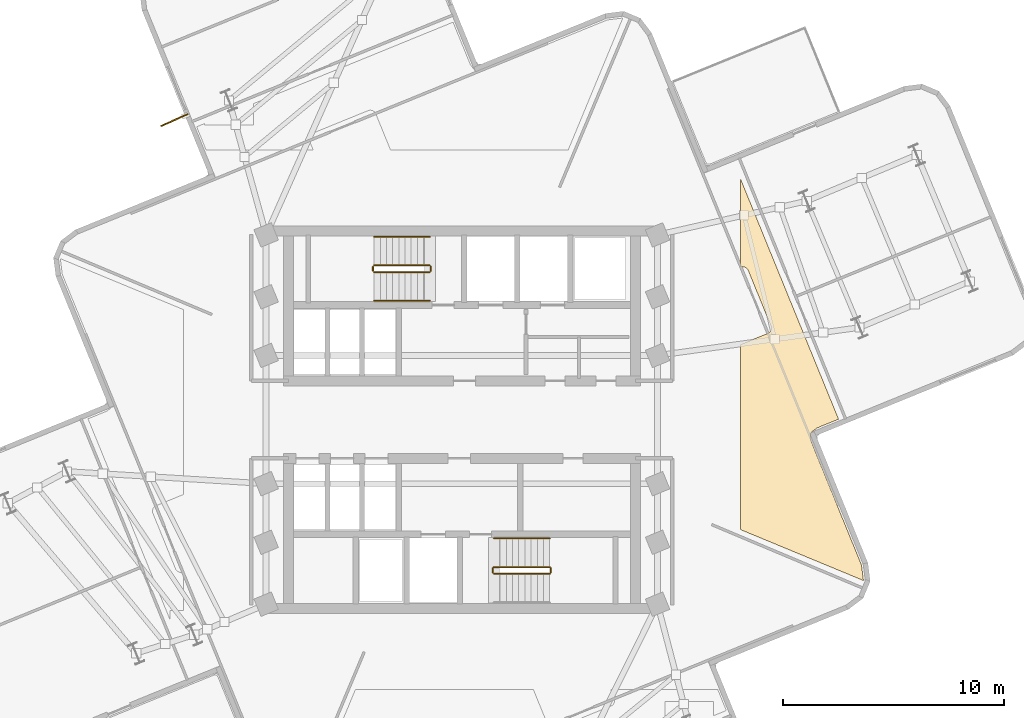
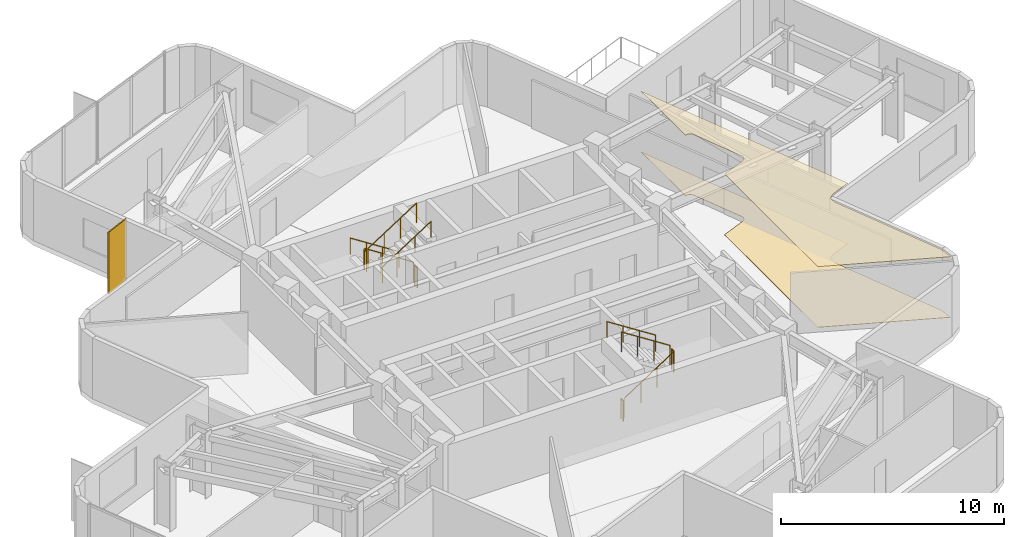
# One storey, part 10 of 11: 11 railings, 2 coverings, 1 shading device.
"""IFC4 building model written with IfcOpenShell, lengths in metres."""

from ifc_helpers import new_model, si_unit, direction, frame, origin, origin_2d, place, context, subcontext, project, spatial, polyline, rectangle, circle, outline, extrude, material, layer, layer_set, type_object, element, save


model = new_model("IFC4")

# Units and contexts
model_context = context("Model", 3, precision=1e-05, world=origin(), true_north=direction((0.0, 1.0)))
body_context = subcontext(model_context, "Body", "Model", "MODEL_VIEW")
ifc_project = project(units=[si_unit("LENGTHUNIT", "METRE"), si_unit("AREAUNIT", "SQUARE_METRE"), si_unit("VOLUMEUNIT", "CUBIC_METRE"), si_unit("PLANEANGLEUNIT", "RADIAN"), si_unit("MASSUNIT", "GRAM", prefix="KILO")], contexts=[model_context])

# Site, building, storey
site_placement = place(None, origin())
site = spatial("IfcSite", under=ifc_project, at=site_placement, CompositionType="ELEMENT")
building_placement = place(site_placement, origin())
building = spatial("IfcBuilding", under=site, at=building_placement, Name="Solmarez Civic Tower", CompositionType="ELEMENT")
storey_placement = place(building_placement, frame((0.0, 0.0, 177.47998046875)))
storey = spatial("IfcBuildingStorey", under=building, at=storey_placement, Name="L47", CompositionType="ELEMENT", Elevation=177.47998046875)

# Coverings
ifc_material_1 = material(Name="Perforated Mineral-Fibre Acoustic Ceiling")
ifc_layer_1 = layer(ifc_material_1, 0.02490234375)
ifc_layer_set_1 = layer_set([ifc_layer_1], Name="Perforated Mineral-Fibre Acoustic Ceiling")
covering_type_1 = type_object("IfcCoveringType", Name="COV-CEIL-ACOUSTIC", PredefinedType="CEILING", material=ifc_layer_set_1)
covering_1_placement = place(storey_placement, frame((0.0, 0.0, 3.31494140625)))
element("IfcCovering", 1, at=covering_1_placement, inside=storey, type_object=covering_type_1, Name="L47 Suspended Acoustic Ceiling 3", PredefinedType="CEILING", context=body_context, shape_type="SweptSolid", body=[
    extrude(outline(polyline([(12.60009765625, 10.887939453125), (12.60009765625, 6.89208984375), (12.613037109375, 6.89697265625), (12.6220703125, 6.89990234375), (12.64892578125, 6.906982421875), (12.654052734375, 6.907958984375), (12.675048828125, 6.910888671875), (12.697021484375, 6.912109375), (12.70703125, 6.912109375), (12.72900390625, 6.910888671875), (12.75, 6.907958984375), (12.7548828125, 6.906982421875), (12.781982421875, 6.89990234375), (12.791015625, 6.89697265625), (12.802978515625, 6.89208984375), (12.80810546875, 6.889892578125), (12.824951171875, 6.882080078125), (12.842041015625, 6.873046875), (12.85791015625, 6.862060546875), (12.865966796875, 6.85595703125), (12.876953125, 6.846923828125), (12.884033203125, 6.841064453125), (12.902099609375, 6.823974609375), (12.9169921875, 6.805908203125), (12.919921875, 6.802001953125), (12.93408203125, 6.781005859375), (12.945068359375, 6.759033203125), (12.948974609375, 6.75), (12.951904296875, 6.743896484375), (13.971923828125, 4.242919921875), (13.97412109375, 4.238037109375), (13.98095703125, 4.218994140625), (13.986083984375, 4.198974609375), (13.987060546875, 4.194091796875), (13.989990234375, 4.175048828125), (13.990966796875, 4.166015625), (13.991943359375, 4.14208984375), (13.991943359375, 4.136962890625), (13.990966796875, 4.114990234375), (13.988037109375, 4.093994140625), (13.987060546875, 4.089111328125), (13.97998046875, 4.06201171875), (13.97705078125, 4.052978515625), (13.971923828125, 4.041015625), (13.969970703125, 4.035888671875), (13.9619140625, 4.01904296875), (13.952880859375, 4.001953125), (13.94189453125, 3.986083984375), (13.93603515625, 3.97802734375), (13.93310546875, 3.97412109375), (13.91796875, 3.9560546875), (13.89990234375, 3.93896484375), (13.89306640625, 3.93310546875), (13.8759765625, 3.919921875), (13.85791015625, 3.908935546875), (13.839111328125, 3.89892578125), (13.830078125, 3.89501953125), (13.823974609375, 3.89208984375), (12.60009765625, 3.39208984375), (12.60009765625, -4.97705078125), (18.157958984375, -7.278076171875), (18.159912109375, -7.27197265625), (18.071044921875, -6.569091796875), (15.81201171875, -1.032958984375), (15.803955078125, -1.010009765625), (15.802001953125, -1.0029296875), (15.800048828125, -0.99609375), (15.7939453125, -0.967041015625), (15.79296875, -0.95703125), (15.77099609375, -0.787109375), (15.76904296875, -0.759033203125), (15.76904296875, -0.742919921875), (15.77099609375, -0.7119140625), (15.77197265625, -0.70703125), (15.77294921875, -0.700927734375), (15.77490234375, -0.68408203125), (15.779052734375, -0.66796875), (15.781005859375, -0.660888671875), (15.791015625, -0.634033203125), (15.7939453125, -0.626953125), (15.804931640625, -0.60498046875), (15.80908203125, -0.597900390625), (15.81689453125, -0.5849609375), (15.821044921875, -0.5791015625), (15.8349609375, -0.56005859375), (15.840087890625, -0.553955078125), (15.85302734375, -0.5390625), (15.85791015625, -0.533935546875), (15.873046875, -0.52099609375), (15.87890625, -0.51611328125), (15.886962890625, -0.510009765625), (16.02392578125, -0.406005859375), (16.034912109375, -0.39794921875), (16.041015625, -0.39404296875), (16.06494140625, -0.3798828125), (16.076904296875, -0.3740234375), (16.092041015625, -0.366943359375), (17.035888671875, 0.01806640625), (12.60009765625, 10.887939453125)])), origin(), (0.0, 0.0, 1.0), 0.025146484375),
])
ifc_material_2 = material(Name="Polished Tropical Stone Terrazzo Flooring", Category="masonry")
ifc_layer_2 = layer(ifc_material_2, 0.02001953125)
ifc_layer_set_2 = layer_set([ifc_layer_2], Name="Polished Tropical Stone Terrazzo Flooring")
covering_type_2 = type_object("IfcCoveringType", Name="COV-FLOOR-TERRAZZO", PredefinedType="FLOORING", material=ifc_layer_set_2)
covering_2_placement = place(storey_placement, origin())
element("IfcCovering", 2, at=covering_2_placement, inside=storey, type_object=covering_type_2, Name="L47 Terrazzo Floor Finish 3", PredefinedType="FLOORING", context=body_context, shape_type="SweptSolid", body=[
    extrude(outline(polyline([(12.60009765625, 10.887939453125), (12.60009765625, 6.89208984375), (12.613037109375, 6.89697265625), (12.6220703125, 6.89990234375), (12.64892578125, 6.906982421875), (12.654052734375, 6.907958984375), (12.675048828125, 6.910888671875), (12.697021484375, 6.912109375), (12.70703125, 6.912109375), (12.72900390625, 6.910888671875), (12.75, 6.907958984375), (12.7548828125, 6.906982421875), (12.781982421875, 6.89990234375), (12.791015625, 6.89697265625), (12.802978515625, 6.89208984375), (12.80810546875, 6.889892578125), (12.824951171875, 6.882080078125), (12.842041015625, 6.873046875), (12.85791015625, 6.862060546875), (12.865966796875, 6.85595703125), (12.876953125, 6.846923828125), (12.884033203125, 6.841064453125), (12.902099609375, 6.823974609375), (12.9169921875, 6.805908203125), (12.919921875, 6.802001953125), (12.93408203125, 6.781005859375), (12.945068359375, 6.759033203125), (12.948974609375, 6.75), (12.951904296875, 6.743896484375), (13.971923828125, 4.242919921875), (13.97412109375, 4.238037109375), (13.98095703125, 4.218994140625), (13.986083984375, 4.198974609375), (13.987060546875, 4.194091796875), (13.989990234375, 4.175048828125), (13.990966796875, 4.166015625), (13.991943359375, 4.14208984375), (13.991943359375, 4.136962890625), (13.990966796875, 4.114990234375), (13.988037109375, 4.093994140625), (13.987060546875, 4.089111328125), (13.97998046875, 4.06201171875), (13.97705078125, 4.052978515625), (13.971923828125, 4.041015625), (13.969970703125, 4.035888671875), (13.9619140625, 4.01904296875), (13.952880859375, 4.001953125), (13.94189453125, 3.986083984375), (13.93603515625, 3.97802734375), (13.93310546875, 3.97412109375), (13.91796875, 3.9560546875), (13.89990234375, 3.93896484375), (13.89306640625, 3.93310546875), (13.8759765625, 3.919921875), (13.85791015625, 3.908935546875), (13.839111328125, 3.89892578125), (13.830078125, 3.89501953125), (13.823974609375, 3.89208984375), (12.60009765625, 3.39208984375), (12.60009765625, -4.97705078125), (18.157958984375, -7.278076171875), (18.159912109375, -7.27197265625), (18.071044921875, -6.569091796875), (15.81201171875, -1.032958984375), (15.803955078125, -1.010009765625), (15.802001953125, -1.0029296875), (15.800048828125, -0.99609375), (15.7939453125, -0.967041015625), (15.79296875, -0.95703125), (15.77099609375, -0.787109375), (15.76904296875, -0.759033203125), (15.76904296875, -0.742919921875), (15.77099609375, -0.7119140625), (15.77197265625, -0.70703125), (15.77294921875, -0.700927734375), (15.77490234375, -0.68408203125), (15.779052734375, -0.66796875), (15.781005859375, -0.660888671875), (15.791015625, -0.634033203125), (15.7939453125, -0.626953125), (15.804931640625, -0.60498046875), (15.80908203125, -0.597900390625), (15.81689453125, -0.5849609375), (15.821044921875, -0.5791015625), (15.8349609375, -0.56005859375), (15.840087890625, -0.553955078125), (15.85302734375, -0.5390625), (15.85791015625, -0.533935546875), (15.873046875, -0.52099609375), (15.87890625, -0.51611328125), (15.886962890625, -0.510009765625), (16.02392578125, -0.406005859375), (16.034912109375, -0.39794921875), (16.041015625, -0.39404296875), (16.06494140625, -0.3798828125), (16.076904296875, -0.3740234375), (16.092041015625, -0.366943359375), (17.035888671875, 0.01806640625), (12.60009765625, 10.887939453125)])), origin(), (0.0, 0.0, 1.0), 0.02001953125),
])

# Shading device
ifc_material_3 = material(Name="Bronze Anodised Aluminium EN AW-6063 T6", Category="aluminium")
ifc_layer_3 = layer(ifc_material_3, 0.06005859375)
ifc_layer_set_3 = layer_set([ifc_layer_3], Name="Bronze Anodised Aluminium EN AW-6063 T6")
shading_device_type = type_object("IfcShadingDeviceType", Name="FIN-BRONZE-Z34", PredefinedType="USERDEFINED", material=ifc_layer_set_3)
shading_device_placement = place(storey_placement, frame((-12.99609375, 13.5458984375, -0.0400390625), z_axis=(0.0, 0.0, 1.0), x_axis=(-0.915001921998, -0.403449479788, 0.0)))
element("IfcShadingDevice", 3, at=shading_device_placement, inside=storey, type_object=shading_device_type, Name="L47 Anodised Bronze Solar Fin FIN-L47-03", ObjectType="FIN", PredefinedType="USERDEFINED", context=body_context, shape_type="SweptSolid", body=[
    extrude(rectangle(XDim=1.35009765625, YDim=0.06005859375, at=origin_2d()), origin(), (0.0, 0.0, 1.0), 3.3798828125),
])

# Railings
ifc_material_4 = material(Name="Painted Steel Stairwell Safety Guard", Category="steel")
railing_type_1 = type_object("IfcRailingType", Name="GUARD-STAIR-1120", PredefinedType="BALUSTRADE", material=ifc_material_4)
railing_1_placement = place(storey_placement, frame((-1.449951171875, 6.969970703125, 0.179931640625)))
element("IfcRailing", 4, at=railing_1_placement, inside=storey, type_object=railing_type_1, Name="L47 ST-1 stair guard 1", PredefinedType="BALUSTRADE", context=body_context, shape_type="SweptSolid", body=[
    extrude(circle(Radius=0.02392578125, at=origin_2d()), frame((0.0, 0.0, 1.09619140625), z_axis=(-0.841162588446, 0.0, 0.540782303519), x_axis=(0.0, -1.0, 0.0)), (0.0, 0.0, 1.0), 2.995849609375),
    extrude(circle(Radius=0.02099609375, at=origin_2d()), origin(), (0.0, 0.0, 1.0), 1.072021484375),
    extrude(circle(Radius=0.02099609375, at=origin_2d()), frame((-0.840087890625, 0.0, 0.5400390625)), (0.0, 0.0, 1.0), 1.072021484375),
    extrude(circle(Radius=0.02099609375, at=origin_2d()), frame((-1.679931640625, 0.0, 1.080078125)), (0.0, 0.0, 1.0), 1.072021484375),
    extrude(circle(Radius=0.02099609375, at=origin_2d()), frame((-2.52001953125, 0.0, 1.6201171875)), (0.0, 0.0, 1.0), 1.072021484375),
])
railing_2_placement = place(storey_placement, frame((-4.02001953125, 6.919921875, 1.800048828125)))
element("IfcRailing", 5, at=railing_2_placement, inside=storey, type_object=railing_type_1, Name="L47 ST-1 stair guard 2", PredefinedType="BALUSTRADE", context=body_context, shape_type="SweptSolid", body=[
    extrude(circle(Radius=0.02392578125, at=origin_2d()), frame((0.0, 0.0, 1.09619140625), z_axis=(0.0, -1.0, 0.0), x_axis=(1.0, 0.0, 0.0)), (0.0, 0.0, 1.0), 0.199951171875),
    extrude(circle(Radius=0.02099609375, at=origin_2d()), origin(), (0.0, 0.0, 1.0), 1.072021484375),
    extrude(circle(Radius=0.02099609375, at=origin_2d()), frame((0.0, -0.199951171875, 0.0)), (0.0, 0.0, 1.0), 1.072021484375),
])
railing_3_placement = place(storey_placement, frame((-3.969970703125, 6.669921875, 1.97998046875)))
element("IfcRailing", 6, at=railing_3_placement, inside=storey, type_object=railing_type_1, Name="L47 ST-1 stair guard 3", PredefinedType="BALUSTRADE", context=body_context, shape_type="SweptSolid", body=[
    extrude(circle(Radius=0.02392578125, at=origin_2d()), frame((0.0, 0.0, 1.09619140625), z_axis=(0.841162588446, 0.0, 0.540782303519), x_axis=(0.0, 1.0, 0.0)), (0.0, 0.0, 1.0), 2.995849609375),
    extrude(circle(Radius=0.02099609375, at=origin_2d()), origin(), (0.0, 0.0, 1.0), 1.072021484375),
    extrude(circle(Radius=0.02099609375, at=origin_2d()), frame((0.840087890625, 0.0, 0.5400390625)), (0.0, 0.0, 1.0), 1.072021484375),
    extrude(circle(Radius=0.02099609375, at=origin_2d()), frame((1.679931640625, 0.0, 1.080078125)), (0.0, 0.0, 1.0), 1.072021484375),
    extrude(circle(Radius=0.02099609375, at=origin_2d()), frame((2.52001953125, 0.0, 1.6201171875)), (0.0, 0.0, 1.0), 1.072021484375),
])
railing_4_placement = place(storey_placement, frame((-1.39990234375, 6.919921875, 0.0)))
element("IfcRailing", 7, at=railing_4_placement, inside=storey, type_object=railing_type_1, Name="L47 ST-1 stair guard 4", PredefinedType="BALUSTRADE", context=body_context, shape_type="SweptSolid", body=[
    extrude(circle(Radius=0.02392578125, at=origin_2d()), frame((0.0, 0.0, 1.09619140625), z_axis=(0.0, -1.0, 0.0), x_axis=(1.0, 0.0, 0.0)), (0.0, 0.0, 1.0), 0.199951171875),
    extrude(circle(Radius=0.02099609375, at=origin_2d()), origin(), (0.0, 0.0, 1.0), 1.072021484375),
    extrude(circle(Radius=0.02099609375, at=origin_2d()), frame((0.0, -0.199951171875, 0.0)), (0.0, 0.0, 1.0), 1.072021484375),
])
railing_5_placement = place(storey_placement, frame((1.449951171875, -6.969970703125, 0.179931640625)))
element("IfcRailing", 8, at=railing_5_placement, inside=storey, type_object=railing_type_1, Name="L47 ST-2 stair guard 1", PredefinedType="BALUSTRADE", context=body_context, shape_type="SweptSolid", body=[
    extrude(circle(Radius=0.02392578125, at=origin_2d()), frame((0.0, 0.0, 1.09619140625), z_axis=(0.841162588446, 0.0, 0.540782303519), x_axis=(0.0, 1.0, 0.0)), (0.0, 0.0, 1.0), 2.995849609375),
    extrude(circle(Radius=0.02099609375, at=origin_2d()), origin(), (0.0, 0.0, 1.0), 1.072021484375),
    extrude(circle(Radius=0.02099609375, at=origin_2d()), frame((0.840087890625, 0.0, 0.5400390625)), (0.0, 0.0, 1.0), 1.072021484375),
    extrude(circle(Radius=0.02099609375, at=origin_2d()), frame((1.679931640625, 0.0, 1.080078125)), (0.0, 0.0, 1.0), 1.072021484375),
    extrude(circle(Radius=0.02099609375, at=origin_2d()), frame((2.52001953125, 0.0, 1.6201171875)), (0.0, 0.0, 1.0), 1.072021484375),
])
railing_6_placement = place(storey_placement, frame((4.02001953125, -6.919921875, 1.800048828125)))
element("IfcRailing", 9, at=railing_6_placement, inside=storey, type_object=railing_type_1, Name="L47 ST-2 stair guard 2", PredefinedType="BALUSTRADE", context=body_context, shape_type="SweptSolid", body=[
    extrude(circle(Radius=0.02392578125, at=origin_2d()), frame((0.0, 0.0, 1.09619140625), z_axis=(0.0, 1.0, 0.0), x_axis=(-1.0, 0.0, 0.0)), (0.0, 0.0, 1.0), 0.199951171875),
    extrude(circle(Radius=0.02099609375, at=origin_2d()), origin(), (0.0, 0.0, 1.0), 1.072021484375),
    extrude(circle(Radius=0.02099609375, at=origin_2d()), frame((0.0, 0.199951171875, 0.0)), (0.0, 0.0, 1.0), 1.072021484375),
])
railing_7_placement = place(storey_placement, frame((3.969970703125, -6.669921875, 1.97998046875)))
element("IfcRailing", 10, at=railing_7_placement, inside=storey, type_object=railing_type_1, Name="L47 ST-2 stair guard 3", PredefinedType="BALUSTRADE", context=body_context, shape_type="SweptSolid", body=[
    extrude(circle(Radius=0.02392578125, at=origin_2d()), frame((0.0, 0.0, 1.09619140625), z_axis=(-0.841162588446, 0.0, 0.540782303519), x_axis=(0.0, -1.0, 0.0)), (0.0, 0.0, 1.0), 2.995849609375),
    extrude(circle(Radius=0.02099609375, at=origin_2d()), origin(), (0.0, 0.0, 1.0), 1.072021484375),
    extrude(circle(Radius=0.02099609375, at=origin_2d()), frame((-0.840087890625, 0.0, 0.5400390625)), (0.0, 0.0, 1.0), 1.072021484375),
    extrude(circle(Radius=0.02099609375, at=origin_2d()), frame((-1.679931640625, 0.0, 1.080078125)), (0.0, 0.0, 1.0), 1.072021484375),
    extrude(circle(Radius=0.02099609375, at=origin_2d()), frame((-2.52001953125, 0.0, 1.6201171875)), (0.0, 0.0, 1.0), 1.072021484375),
])
railing_8_placement = place(storey_placement, frame((1.39990234375, -6.919921875, 0.0)))
element("IfcRailing", 11, at=railing_8_placement, inside=storey, type_object=railing_type_1, Name="L47 ST-2 stair guard 4", PredefinedType="BALUSTRADE", context=body_context, shape_type="SweptSolid", body=[
    extrude(circle(Radius=0.02392578125, at=origin_2d()), frame((0.0, 0.0, 1.09619140625), z_axis=(0.0, 1.0, 0.0), x_axis=(-1.0, 0.0, 0.0)), (0.0, 0.0, 1.0), 0.199951171875),
    extrude(circle(Radius=0.02099609375, at=origin_2d()), origin(), (0.0, 0.0, 1.0), 1.072021484375),
    extrude(circle(Radius=0.02099609375, at=origin_2d()), frame((0.0, 0.199951171875, 0.0)), (0.0, 0.0, 1.0), 1.072021484375),
])
ifc_material_5 = material(Name="Brushed Stainless Steel Tube Handrail", Category="steel")
railing_type_2 = type_object("IfcRailingType", Name="HANDRAIL-STAIR-900", PredefinedType="HANDRAIL", material=ifc_material_5)
railing_9_placement = place(storey_placement, frame((-1.449951171875, 8.27001953125, 0.179931640625)))
element("IfcRailing", 12, at=railing_9_placement, inside=storey, type_object=railing_type_2, Name="L47 ST-1 stair handrail 1", PredefinedType="HANDRAIL", context=body_context, shape_type="SweptSolid", body=[
    extrude(circle(Radius=0.02392578125, at=origin_2d()), frame((0.0, 0.0, 0.8759765625), z_axis=(-0.841162588446, 0.0, 0.540782303519), x_axis=(0.0, -1.0, 0.0)), (0.0, 0.0, 1.0), 2.995849609375),
    extrude(circle(Radius=0.02099609375, at=origin_2d()), origin(), (0.0, 0.0, 1.0), 0.851806640625),
    extrude(circle(Radius=0.02099609375, at=origin_2d()), frame((-0.840087890625, 0.0, 0.5400390625)), (0.0, 0.0, 1.0), 0.851806640625),
    extrude(circle(Radius=0.02099609375, at=origin_2d()), frame((-1.679931640625, 0.0, 1.080078125)), (0.0, 0.0, 1.0), 0.851806640625),
    extrude(circle(Radius=0.02099609375, at=origin_2d()), frame((-2.52001953125, 0.0, 1.6201171875)), (0.0, 0.0, 1.0), 0.851806640625),
])
railing_10_placement = place(storey_placement, frame((-3.969970703125, 5.3701171875, 1.97998046875)))
element("IfcRailing", 13, at=railing_10_placement, inside=storey, type_object=railing_type_2, Name="L47 ST-1 stair handrail 2", PredefinedType="HANDRAIL", context=body_context, shape_type="SweptSolid", body=[
    extrude(circle(Radius=0.02392578125, at=origin_2d()), frame((0.0, 0.0, 0.8759765625), z_axis=(0.841162588446, 0.0, 0.540782303519), x_axis=(0.0, 1.0, 0.0)), (0.0, 0.0, 1.0), 2.995849609375),
    extrude(circle(Radius=0.02099609375, at=origin_2d()), origin(), (0.0, 0.0, 1.0), 0.851806640625),
    extrude(circle(Radius=0.02099609375, at=origin_2d()), frame((0.840087890625, 0.0, 0.5400390625)), (0.0, 0.0, 1.0), 0.851806640625),
    extrude(circle(Radius=0.02099609375, at=origin_2d()), frame((1.679931640625, 0.0, 1.080078125)), (0.0, 0.0, 1.0), 0.851806640625),
    extrude(circle(Radius=0.02099609375, at=origin_2d()), frame((2.52001953125, 0.0, 1.6201171875)), (0.0, 0.0, 1.0), 0.851806640625),
])
railing_11_placement = place(storey_placement, frame((3.969970703125, -5.3701171875, 1.97998046875)))
element("IfcRailing", 14, at=railing_11_placement, inside=storey, type_object=railing_type_2, Name="L47 ST-2 stair handrail 2", PredefinedType="HANDRAIL", context=body_context, shape_type="SweptSolid", body=[
    extrude(circle(Radius=0.02392578125, at=origin_2d()), frame((0.0, 0.0, 0.8759765625), z_axis=(-0.841162588446, 0.0, 0.540782303519), x_axis=(0.0, -1.0, 0.0)), (0.0, 0.0, 1.0), 2.995849609375),
    extrude(circle(Radius=0.02099609375, at=origin_2d()), origin(), (0.0, 0.0, 1.0), 0.851806640625),
    extrude(circle(Radius=0.02099609375, at=origin_2d()), frame((-0.840087890625, 0.0, 0.5400390625)), (0.0, 0.0, 1.0), 0.851806640625),
    extrude(circle(Radius=0.02099609375, at=origin_2d()), frame((-1.679931640625, 0.0, 1.080078125)), (0.0, 0.0, 1.0), 0.851806640625),
    extrude(circle(Radius=0.02099609375, at=origin_2d()), frame((-2.52001953125, 0.0, 1.6201171875)), (0.0, 0.0, 1.0), 0.851806640625),
])

save(model, "model.ifc")
